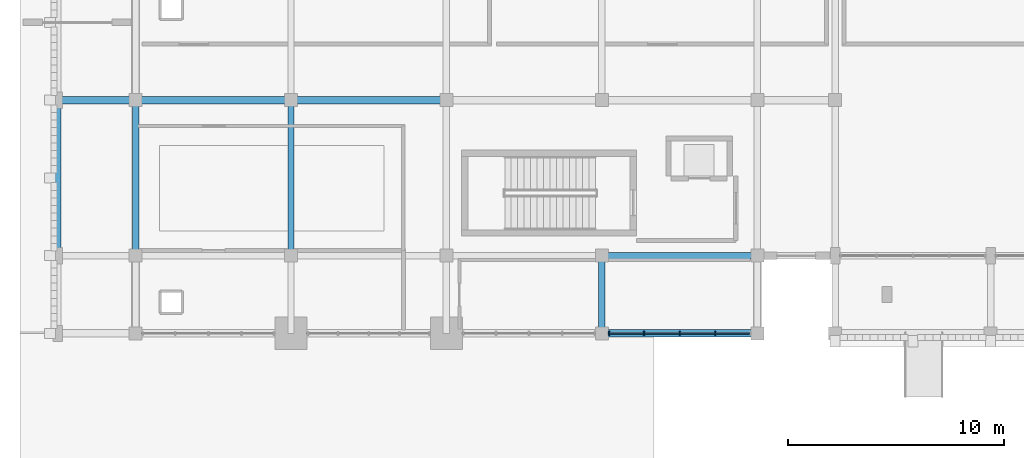
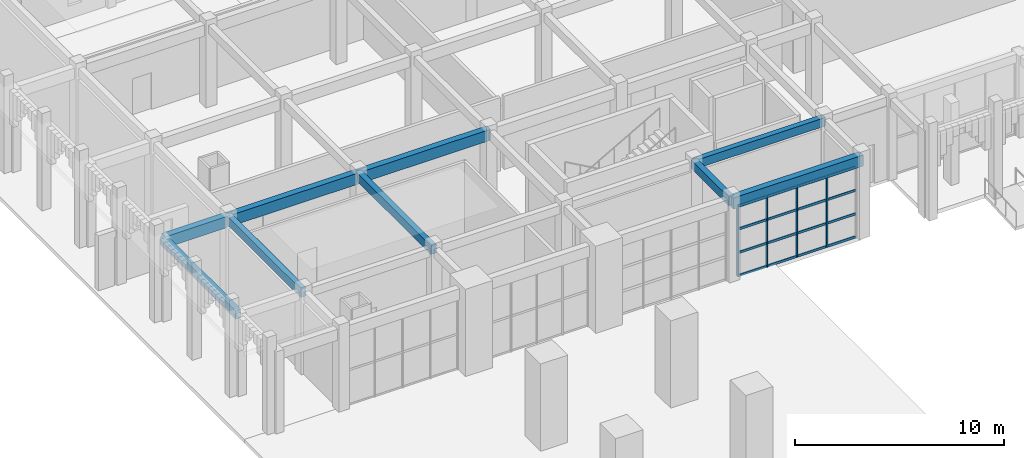
# One storey, part 10 of 72: 20 members, 9 beams, 1 element without a shape of its own.
"""IFC4 building model written with IfcOpenShell, lengths in metres."""

from ifc_helpers import new_model, si_unit, direction, frame, origin, origin_2d, place, context, subcontext, project, spatial, rectangle, extrude, material, material_profile, profile_set, type_object, element, aggregate, save


model = new_model("IFC4")

# Units and contexts
model_context = context("Model", 3, precision=1e-05, world=origin(), true_north=direction((0.0, 1.0)))
body_context = subcontext(model_context, "Body", "Model", "MODEL_VIEW")
ifc_project = project(units=[si_unit("LENGTHUNIT", "METRE"), si_unit("AREAUNIT", "SQUARE_METRE"), si_unit("VOLUMEUNIT", "CUBIC_METRE"), si_unit("PLANEANGLEUNIT", "RADIAN"), si_unit("MASSUNIT", "GRAM", prefix="KILO")], contexts=[model_context])

# Site, building, storey
site_placement = place(None, origin())
site = spatial("IfcSite", under=ifc_project, at=site_placement, CompositionType="ELEMENT")
building_placement = place(site_placement, origin())
building = spatial("IfcBuilding", under=site, at=building_placement, Name="Nzembalo Square Collegiate School", CompositionType="ELEMENT")
storey_placement = place(building_placement, origin())
storey = spatial("IfcBuildingStorey", under=building, at=storey_placement, Name="L00", CompositionType="ELEMENT", Elevation=0.0)

# Beams
ifc_material_1 = material(Name="Concrete C35/45", Category="concrete")
ifc_material_profile_1 = material_profile(ifc_material_1, rectangle(XDim=0.35009765625, YDim=0.64990234375, at=origin_2d()), Name="RC 350x650")
ifc_profile_set_1 = profile_set([ifc_material_profile_1], Name="Concrete C35/45")
beam_type_1 = type_object("IfcBeamType", Name="B01", PredefinedType="BEAM", material=ifc_profile_set_1)
beam_1_placement = place(storey_placement, frame((30.0, 79.199951171875, 4.465087890625), z_axis=(1.0, 0.0, 0.0), x_axis=(0.0, 1.0, 0.0)))
element("IfcBeam", 1, at=beam_1_placement, inside=storey, type_object=beam_type_1, Name="Beam B01 L00", PredefinedType="BEAM", context=body_context, shape_type="SweptSolid", body=[
    extrude(rectangle(XDim=0.35009765625, YDim=0.64990234375, at=origin_2d()), origin(), (0.0, 0.0, 1.0), 7.199951171875),
])
beam_2_placement = place(storey_placement, frame((4.800048828125, 90.0, 4.465087890625), z_axis=(1.0, 0.0, 0.0), x_axis=(0.0, 1.0, 0.0)))
element("IfcBeam", 2, at=beam_2_placement, inside=storey, type_object=beam_type_1, Name="Beam B01 L00", PredefinedType="BEAM", context=body_context, shape_type="SweptSolid", body=[
    extrude(rectangle(XDim=0.35009765625, YDim=0.64990234375, at=origin_2d()), origin(), (0.0, 0.0, 1.0), 3.599853515625),
])
beam_3_placement = place(storey_placement, frame((8.39990234375, 90.0, 4.465087890625), z_axis=(1.0, 0.0, 0.0), x_axis=(0.0, 1.0, 0.0)))
element("IfcBeam", 3, at=beam_3_placement, inside=storey, type_object=beam_type_1, Name="Beam B01 L00", PredefinedType="BEAM", context=body_context, shape_type="SweptSolid", body=[
    extrude(rectangle(XDim=0.35009765625, YDim=0.64990234375, at=origin_2d()), origin(), (0.0, 0.0, 1.0), 7.2001953125),
])
beam_4_placement = place(storey_placement, frame((15.60009765625, 90.0, 4.465087890625), z_axis=(1.0, 0.0, 0.0), x_axis=(0.0, 1.0, 0.0)))
element("IfcBeam", 4, at=beam_4_placement, inside=storey, type_object=beam_type_1, Name="Beam B01 L00", PredefinedType="BEAM", context=body_context, shape_type="SweptSolid", body=[
    extrude(rectangle(XDim=0.35009765625, YDim=0.64990234375, at=origin_2d()), origin(), (0.0, 0.0, 1.0), 7.199951171875),
])
ifc_material_2 = material(Name="Concrete C35/45", Category="concrete")
ifc_material_profile_2 = material_profile(ifc_material_2, rectangle(XDim=0.300048828125, YDim=0.5, at=origin_2d()), Name="RC 300x500")
ifc_profile_set_2 = profile_set([ifc_material_profile_2], Name="Concrete C35/45")
beam_type_2 = type_object("IfcBeamType", Name="B02", PredefinedType="BEAM", material=ifc_profile_set_2)
beam_5_placement = place(storey_placement, frame((15.60009765625, 82.800048828125, 4.5400390625), z_axis=(0.0, 1.0, 0.0), x_axis=(-1.0, 0.0, 0.0)))
element("IfcBeam", 5, at=beam_5_placement, inside=storey, type_object=beam_type_2, Name="Beam B02 L00", PredefinedType="BEAM", context=body_context, shape_type="SweptSolid", body=[
    extrude(rectangle(XDim=0.300048828125, YDim=0.5, at=origin_2d()), origin(), (0.0, 0.0, 1.0), 7.199951171875),
])
beam_6_placement = place(storey_placement, frame((30.0, 79.199951171875, 4.5400390625), z_axis=(0.0, 1.0, 0.0), x_axis=(-1.0, 0.0, 0.0)))
element("IfcBeam", 6, at=beam_6_placement, inside=storey, type_object=beam_type_2, Name="Beam B02 L00", PredefinedType="BEAM", context=body_context, shape_type="SweptSolid", body=[
    extrude(rectangle(XDim=0.300048828125, YDim=0.5, at=origin_2d()), origin(), (0.0, 0.0, 1.0), 3.60009765625),
])
ifc_material_3 = material(Name="Concrete C35/45", Category="concrete")
ifc_material_profile_3 = material_profile(ifc_material_3, rectangle(XDim=0.300048828125, YDim=0.5, at=origin_2d()), Name="RC 300x500")
ifc_profile_set_3 = profile_set([ifc_material_profile_3], Name="Concrete C35/45")
beam_type_3 = type_object("IfcBeamType", Name="SP01", PredefinedType="SPANDREL", material=ifc_profile_set_3)
for number, where, z_axis, x_axis, name in (
    (7, (30.0, 82.800048828125, 4.5400390625), (1.0, 0.0, 0.0), (0.0, 1.0, 0.0), "Beam SP01 L00"),
    (8, (4.800048828125, 82.800048828125, 4.5400390625), (0.0, 1.0, 0.0), (-1.0, 0.0, 0.0), "Beam SP01 L00"),
    (9, (8.39990234375, 82.800048828125, 4.5400390625), (0.0, 1.0, 0.0), (-1.0, 0.0, 0.0), "Beam SP01 L00"),
):
    element("IfcBeam", number, at=place(storey_placement, frame(where, z_axis=z_axis, x_axis=x_axis)), inside=storey, type_object=beam_type_3, Name=name, PredefinedType="SPANDREL", context=body_context, shape_type="SweptSolid", body=[
        extrude(rectangle(XDim=0.300048828125, YDim=0.5, at=origin_2d()), origin(), (0.0, 0.0, 1.0), 7.199951171875),
    ])

# Curtain wall, members
ifc_material_4 = material(Name="Aluminium 6060-T66", Category="aluminium")
curtain_wall_type = type_object("IfcCurtainWallType", Name="CW-06", PredefinedType="USERDEFINED", material=ifc_material_4)
curtain_wall_placement = place(storey_placement, origin())
curtain_wall = element("IfcCurtainWall", 10, at=curtain_wall_placement, inside=storey, type_object=curtain_wall_type, Name="Curtain wall CW-06 cw:L00:021", ObjectType="LANCET", PredefinedType="USERDEFINED")
ifc_material_5 = material(Name="Aluminium 6060-T66", Category="aluminium")
ifc_material_profile_4 = material_profile(ifc_material_5, rectangle(XDim=0.06005859375, YDim=0.179931640625, at=origin_2d()), Name="ALU M60x180")
ifc_profile_set_4 = profile_set([ifc_material_profile_4], Name="Aluminium 6060-T66")
member_type_1 = type_object("IfcMemberType", Name="ML01", PredefinedType="MULLION", material=ifc_profile_set_4)
member_1_placement = place(storey_placement, frame((30.33203125, 79.199951171875, 0.0), z_axis=(0.0, 0.0, 1.0), x_axis=(1.0, 0.0, 0.0)))
member_1 = element("IfcMember", 11, at=member_1_placement, type_object=member_type_1, Name="ML01 mullion 1", PredefinedType="MULLION", context=body_context, shape_type="SweptSolid", body=[
    extrude(rectangle(XDim=0.06005859375, YDim=0.179931640625, at=origin_2d()), origin(), (0.0, 0.0, 1.0), 4.134033203125),
])
member_2_placement = place(storey_placement, frame((31.950927734375, 79.199951171875, 0.0), z_axis=(0.0, 0.0, 1.0), x_axis=(1.0, 0.0, 0.0)))
member_2 = element("IfcMember", 12, at=member_2_placement, type_object=member_type_1, Name="ML01 mullion 2", PredefinedType="MULLION", context=body_context, shape_type="SweptSolid", body=[
    extrude(rectangle(XDim=0.06005859375, YDim=0.179931640625, at=origin_2d()), origin(), (0.0, 0.0, 1.0), 4.134033203125),
])
member_3_placement = place(storey_placement, frame((33.60009765625, 79.199951171875, 0.0), z_axis=(0.0, 0.0, 1.0), x_axis=(1.0, 0.0, 0.0)))
member_3 = element("IfcMember", 13, at=member_3_placement, type_object=member_type_1, Name="ML01 mullion 3", PredefinedType="MULLION", context=body_context, shape_type="SweptSolid", body=[
    extrude(rectangle(XDim=0.06005859375, YDim=0.179931640625, at=origin_2d()), origin(), (0.0, 0.0, 1.0), 4.134033203125),
])
member_4_placement = place(storey_placement, frame((35.2490234375, 79.199951171875, 0.0), z_axis=(0.0, 0.0, 1.0), x_axis=(1.0, 0.0, 0.0)))
member_4 = element("IfcMember", 14, at=member_4_placement, type_object=member_type_1, Name="ML01 mullion 4", PredefinedType="MULLION", context=body_context, shape_type="SweptSolid", body=[
    extrude(rectangle(XDim=0.06005859375, YDim=0.179931640625, at=origin_2d()), origin(), (0.0, 0.0, 1.0), 4.134033203125),
])
ifc_material_6 = material(Name="Aluminium 6060-T66", Category="aluminium")
ifc_material_profile_5 = material_profile(ifc_material_6, rectangle(XDim=0.06005859375, YDim=0.139892578125, at=origin_2d()), Name="ALU T60x140")
ifc_profile_set_5 = profile_set([ifc_material_profile_5], Name="Aluminium 6060-T66")
member_type_2 = type_object("IfcMemberType", Name="TR01", PredefinedType="USERDEFINED", material=ifc_profile_set_5)
member_5_placement = place(storey_placement, frame((30.362060546875, 79.199951171875, 0.030029296875), z_axis=(1.0, 0.0, 0.0), x_axis=(0.0, 1.0, 0.0)))
member_5 = element("IfcMember", 15, at=member_5_placement, type_object=member_type_2, Name="TR01 transom 1-1", ObjectType="TRANSOM", PredefinedType="USERDEFINED", context=body_context, shape_type="SweptSolid", body=[
    extrude(rectangle(XDim=0.06005859375, YDim=0.139892578125, at=origin_2d()), origin(), (0.0, 0.0, 1.0), 1.558837890625),
])
member_6_placement = place(storey_placement, frame((31.98095703125, 79.199951171875, 0.030029296875), z_axis=(1.0, 0.0, 0.0), x_axis=(0.0, 1.0, 0.0)))
member_6 = element("IfcMember", 16, at=member_6_placement, type_object=member_type_2, Name="TR01 transom 1-2", ObjectType="TRANSOM", PredefinedType="USERDEFINED", context=body_context, shape_type="SweptSolid", body=[
    extrude(rectangle(XDim=0.06005859375, YDim=0.139892578125, at=origin_2d()), origin(), (0.0, 0.0, 1.0), 1.589111328125),
])
member_7_placement = place(storey_placement, frame((33.6298828125, 79.199951171875, 0.030029296875), z_axis=(1.0, 0.0, 0.0), x_axis=(0.0, 1.0, 0.0)))
member_7 = element("IfcMember", 17, at=member_7_placement, type_object=member_type_2, Name="TR01 transom 1-3", ObjectType="TRANSOM", PredefinedType="USERDEFINED", context=body_context, shape_type="SweptSolid", body=[
    extrude(rectangle(XDim=0.06005859375, YDim=0.139892578125, at=origin_2d()), origin(), (0.0, 0.0, 1.0), 1.589111328125),
])
member_8_placement = place(storey_placement, frame((35.279052734375, 79.199951171875, 0.030029296875), z_axis=(1.0, 0.0, 0.0), x_axis=(0.0, 1.0, 0.0)))
member_8 = element("IfcMember", 18, at=member_8_placement, type_object=member_type_2, Name="TR01 transom 1-4", ObjectType="TRANSOM", PredefinedType="USERDEFINED", context=body_context, shape_type="SweptSolid", body=[
    extrude(rectangle(XDim=0.06005859375, YDim=0.139892578125, at=origin_2d()), origin(), (0.0, 0.0, 1.0), 1.558837890625),
])
member_9_placement = place(storey_placement, frame((30.362060546875, 79.199951171875, 1.3779296875), z_axis=(1.0, 0.0, 0.0), x_axis=(0.0, 1.0, 0.0)))
member_9 = element("IfcMember", 19, at=member_9_placement, type_object=member_type_2, Name="TR01 transom 2-1", ObjectType="TRANSOM", PredefinedType="USERDEFINED", context=body_context, shape_type="SweptSolid", body=[
    extrude(rectangle(XDim=0.06005859375, YDim=0.139892578125, at=origin_2d()), origin(), (0.0, 0.0, 1.0), 1.558837890625),
])
member_10_placement = place(storey_placement, frame((31.98095703125, 79.199951171875, 1.3779296875), z_axis=(1.0, 0.0, 0.0), x_axis=(0.0, 1.0, 0.0)))
member_10 = element("IfcMember", 20, at=member_10_placement, type_object=member_type_2, Name="TR01 transom 2-2", ObjectType="TRANSOM", PredefinedType="USERDEFINED", context=body_context, shape_type="SweptSolid", body=[
    extrude(rectangle(XDim=0.06005859375, YDim=0.139892578125, at=origin_2d()), origin(), (0.0, 0.0, 1.0), 1.589111328125),
])
member_11_placement = place(storey_placement, frame((33.6298828125, 79.199951171875, 1.3779296875), z_axis=(1.0, 0.0, 0.0), x_axis=(0.0, 1.0, 0.0)))
member_11 = element("IfcMember", 21, at=member_11_placement, type_object=member_type_2, Name="TR01 transom 2-3", ObjectType="TRANSOM", PredefinedType="USERDEFINED", context=body_context, shape_type="SweptSolid", body=[
    extrude(rectangle(XDim=0.06005859375, YDim=0.139892578125, at=origin_2d()), origin(), (0.0, 0.0, 1.0), 1.589111328125),
])
member_12_placement = place(storey_placement, frame((35.279052734375, 79.199951171875, 1.3779296875), z_axis=(1.0, 0.0, 0.0), x_axis=(0.0, 1.0, 0.0)))
member_12 = element("IfcMember", 22, at=member_12_placement, type_object=member_type_2, Name="TR01 transom 2-4", ObjectType="TRANSOM", PredefinedType="USERDEFINED", context=body_context, shape_type="SweptSolid", body=[
    extrude(rectangle(XDim=0.06005859375, YDim=0.139892578125, at=origin_2d()), origin(), (0.0, 0.0, 1.0), 1.558837890625),
])
member_13_placement = place(storey_placement, frame((30.362060546875, 79.199951171875, 2.756103515625), z_axis=(1.0, 0.0, 0.0), x_axis=(0.0, 1.0, 0.0)))
member_13 = element("IfcMember", 23, at=member_13_placement, type_object=member_type_2, Name="TR01 transom 3-1", ObjectType="TRANSOM", PredefinedType="USERDEFINED", context=body_context, shape_type="SweptSolid", body=[
    extrude(rectangle(XDim=0.06005859375, YDim=0.139892578125, at=origin_2d()), origin(), (0.0, 0.0, 1.0), 1.558837890625),
])
member_14_placement = place(storey_placement, frame((31.98095703125, 79.199951171875, 2.756103515625), z_axis=(1.0, 0.0, 0.0), x_axis=(0.0, 1.0, 0.0)))
member_14 = element("IfcMember", 24, at=member_14_placement, type_object=member_type_2, Name="TR01 transom 3-2", ObjectType="TRANSOM", PredefinedType="USERDEFINED", context=body_context, shape_type="SweptSolid", body=[
    extrude(rectangle(XDim=0.06005859375, YDim=0.139892578125, at=origin_2d()), origin(), (0.0, 0.0, 1.0), 1.589111328125),
])
member_15_placement = place(storey_placement, frame((33.6298828125, 79.199951171875, 2.756103515625), z_axis=(1.0, 0.0, 0.0), x_axis=(0.0, 1.0, 0.0)))
member_15 = element("IfcMember", 25, at=member_15_placement, type_object=member_type_2, Name="TR01 transom 3-3", ObjectType="TRANSOM", PredefinedType="USERDEFINED", context=body_context, shape_type="SweptSolid", body=[
    extrude(rectangle(XDim=0.06005859375, YDim=0.139892578125, at=origin_2d()), origin(), (0.0, 0.0, 1.0), 1.589111328125),
])
member_16_placement = place(storey_placement, frame((35.279052734375, 79.199951171875, 2.756103515625), z_axis=(1.0, 0.0, 0.0), x_axis=(0.0, 1.0, 0.0)))
member_16 = element("IfcMember", 26, at=member_16_placement, type_object=member_type_2, Name="TR01 transom 3-4", ObjectType="TRANSOM", PredefinedType="USERDEFINED", context=body_context, shape_type="SweptSolid", body=[
    extrude(rectangle(XDim=0.06005859375, YDim=0.139892578125, at=origin_2d()), origin(), (0.0, 0.0, 1.0), 1.558837890625),
])
member_17_placement = place(storey_placement, frame((30.362060546875, 79.199951171875, 4.10400390625), z_axis=(1.0, 0.0, 0.0), x_axis=(0.0, 1.0, 0.0)))
member_17 = element("IfcMember", 27, at=member_17_placement, type_object=member_type_2, Name="TR01 transom 4-1", ObjectType="TRANSOM", PredefinedType="USERDEFINED", context=body_context, shape_type="SweptSolid", body=[
    extrude(rectangle(XDim=0.06005859375, YDim=0.139892578125, at=origin_2d()), origin(), (0.0, 0.0, 1.0), 1.558837890625),
])
member_18_placement = place(storey_placement, frame((31.98095703125, 79.199951171875, 4.10400390625), z_axis=(1.0, 0.0, 0.0), x_axis=(0.0, 1.0, 0.0)))
member_18 = element("IfcMember", 28, at=member_18_placement, type_object=member_type_2, Name="TR01 transom 4-2", ObjectType="TRANSOM", PredefinedType="USERDEFINED", context=body_context, shape_type="SweptSolid", body=[
    extrude(rectangle(XDim=0.06005859375, YDim=0.139892578125, at=origin_2d()), origin(), (0.0, 0.0, 1.0), 1.589111328125),
])
member_19_placement = place(storey_placement, frame((33.6298828125, 79.199951171875, 4.10400390625), z_axis=(1.0, 0.0, 0.0), x_axis=(0.0, 1.0, 0.0)))
member_19 = element("IfcMember", 29, at=member_19_placement, type_object=member_type_2, Name="TR01 transom 4-3", ObjectType="TRANSOM", PredefinedType="USERDEFINED", context=body_context, shape_type="SweptSolid", body=[
    extrude(rectangle(XDim=0.06005859375, YDim=0.139892578125, at=origin_2d()), origin(), (0.0, 0.0, 1.0), 1.589111328125),
])
member_20_placement = place(storey_placement, frame((35.279052734375, 79.199951171875, 4.10400390625), z_axis=(1.0, 0.0, 0.0), x_axis=(0.0, 1.0, 0.0)))
member_20 = element("IfcMember", 30, at=member_20_placement, type_object=member_type_2, Name="TR01 transom 4-4", ObjectType="TRANSOM", PredefinedType="USERDEFINED", context=body_context, shape_type="SweptSolid", body=[
    extrude(rectangle(XDim=0.06005859375, YDim=0.139892578125, at=origin_2d()), origin(), (0.0, 0.0, 1.0), 1.558837890625),
])
aggregate(curtain_wall, [member_1, member_2, member_3, member_4, member_5, member_6, member_7, member_8, member_9, member_10, member_11, member_12, member_13, member_14, member_15, member_16, member_17, member_18, member_19, member_20])

save(model, "model.ifc")
